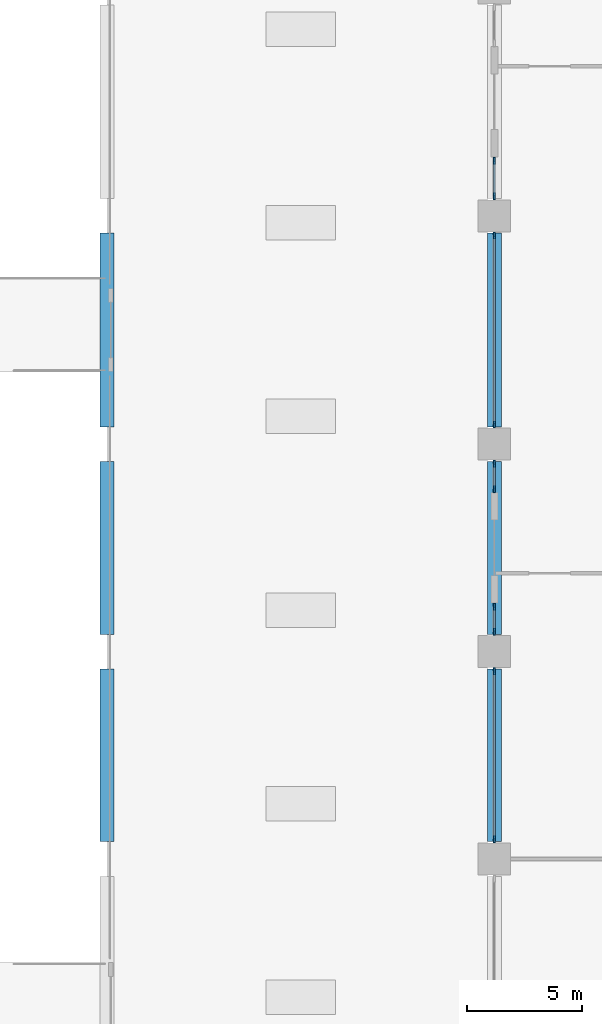
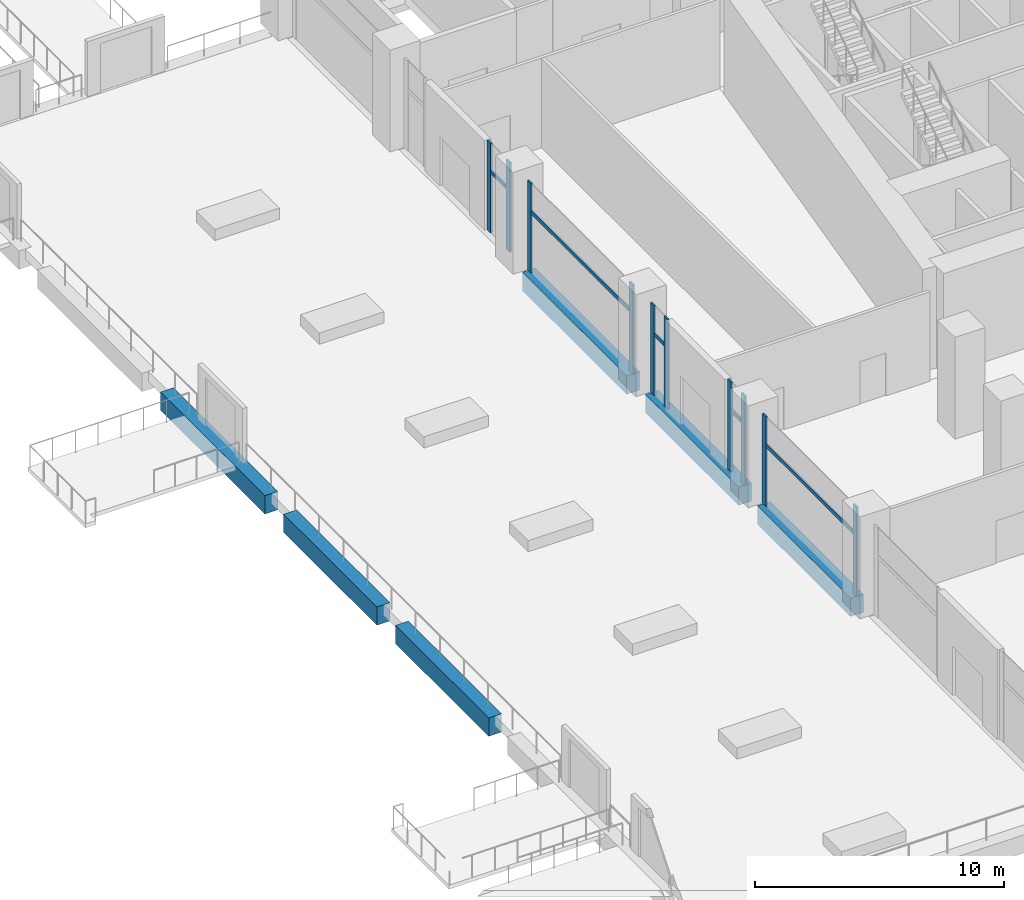
# One storey, part 4 of 33: 15 members, 6 beams, 5 elements without a shape of their own.
"""IFC4 building model written with IfcOpenShell, lengths in metres."""

from ifc_helpers import new_model, si_unit, direction, frame, origin, origin_2d, place, context, subcontext, project, spatial, rectangle, extrude, material, material_profile, profile_set, type_object, element, aggregate, save


model = new_model("IFC4")

# Units and contexts
model_context = context("Model", 3, precision=1e-05, world=origin(), true_north=direction((0.0, 1.0)))
body_context = subcontext(model_context, "Body", "Model", "MODEL_VIEW")
ifc_project = project(units=[si_unit("LENGTHUNIT", "METRE"), si_unit("AREAUNIT", "SQUARE_METRE"), si_unit("VOLUMEUNIT", "CUBIC_METRE"), si_unit("PLANEANGLEUNIT", "RADIAN"), si_unit("MASSUNIT", "GRAM", prefix="KILO")], contexts=[model_context])

# Site, building, storey
site_placement = place(None, origin())
site = spatial("IfcSite", under=ifc_project, at=site_placement, CompositionType="ELEMENT")
building_placement = place(site_placement, origin())
building = spatial("IfcBuilding", under=site, at=building_placement, Name="Candeia Pilgrim Tower and Theatre", CompositionType="ELEMENT")
storey_placement = place(building_placement, frame((0.0, 0.0, 29.0)))
storey = spatial("IfcBuildingStorey", under=building, at=storey_placement, Name="L04", CompositionType="ELEMENT", Elevation=29.0)

# Curtain wall, members
ifc_material_1 = material(Name="Aluminium framed podium glazing", Category="aluminium")
curtain_wall_type = type_object("IfcCurtainWallType", Name="CW-P curtain wall", PredefinedType="NOTDEFINED", material=ifc_material_1)
curtain_wall_1_placement = place(storey_placement, origin())
curtain_wall_1 = element("IfcCurtainWall", 1, at=curtain_wall_1_placement, inside=storey, type_object=curtain_wall_type, Name="Curtain wall CW-P L04.010", PredefinedType="NOTDEFINED")
ifc_material_2 = material(Name="Anodised aluminium", Category="aluminium")
ifc_material_profile_1 = material_profile(ifc_material_2, rectangle(XDim=0.080078125, YDim=0.300048828125, at=origin_2d()))
ifc_profile_set_1 = profile_set([ifc_material_profile_1], Name="Anodised aluminium")
member_type_1 = type_object("IfcMemberType", Name="CW-P mullion 80x300", PredefinedType="MULLION", material=ifc_profile_set_1)
member_1_placement = place(storey_placement, frame((75.60009765625, 98.85009765625, 0.0), z_axis=(0.0, 0.0, 1.0), x_axis=(-1.0, 0.0, 0.0)))
member_1 = element("IfcMember", 2, at=member_1_placement, type_object=member_type_1, Name="CW-P mullion 1", PredefinedType="MULLION", context=body_context, shape_type="SweptSolid", body=[
    extrude(rectangle(XDim=0.080078125, YDim=0.300048828125, at=origin_2d()), origin(), (0.0, 0.0, 1.0), 4.39990234375),
])
member_2_placement = place(storey_placement, frame((75.60009765625, 106.14990234375, 0.0), z_axis=(0.0, 0.0, 1.0), x_axis=(-1.0, 0.0, 0.0)))
member_2 = element("IfcMember", 3, at=member_2_placement, type_object=member_type_1, Name="CW-P mullion 2", PredefinedType="MULLION", context=body_context, shape_type="SweptSolid", body=[
    extrude(rectangle(XDim=0.080078125, YDim=0.300048828125, at=origin_2d()), origin(), (0.0, 0.0, 1.0), 4.39990234375),
])

curtain_wall_2_placement = place(storey_placement, origin())
curtain_wall_2 = element("IfcCurtainWall", 4, at=curtain_wall_2_placement, inside=storey, type_object=curtain_wall_type, Name="Curtain wall CW-P L04.020", PredefinedType="NOTDEFINED")
member_3_placement = place(storey_placement, frame((75.60009765625, 107.85009765625, 0.0), z_axis=(0.0, 0.0, 1.0), x_axis=(-1.0, 0.0, 0.0)))
member_3 = element("IfcMember", 5, at=member_3_placement, type_object=member_type_1, Name="CW-P mullion 1", PredefinedType="MULLION", context=body_context, shape_type="SweptSolid", body=[
    extrude(rectangle(XDim=0.080078125, YDim=0.300048828125, at=origin_2d()), origin(), (0.0, 0.0, 1.0), 4.39990234375),
])
member_4_placement = place(storey_placement, frame((75.60009765625, 108.949951171875, 0.0), z_axis=(0.0, 0.0, 1.0), x_axis=(-1.0, 0.0, 0.0)))
member_4 = element("IfcMember", 6, at=member_4_placement, type_object=member_type_1, Name="CW-P mullion 2", PredefinedType="MULLION", context=body_context, shape_type="SweptSolid", body=[
    extrude(rectangle(XDim=0.080078125, YDim=0.300048828125, at=origin_2d()), origin(), (0.0, 0.0, 1.0), 4.39990234375),
])

curtain_wall_3_placement = place(storey_placement, origin())
curtain_wall_3 = element("IfcCurtainWall", 7, at=curtain_wall_3_placement, inside=storey, type_object=curtain_wall_type, Name="Curtain wall CW-P L04.021", PredefinedType="NOTDEFINED")
member_5_placement = place(storey_placement, frame((75.60009765625, 114.050048828125, 0.0), z_axis=(0.0, 0.0, 1.0), x_axis=(-1.0, 0.0, 0.0)))
member_5 = element("IfcMember", 8, at=member_5_placement, type_object=member_type_1, Name="CW-P mullion 1", PredefinedType="MULLION", context=body_context, shape_type="SweptSolid", body=[
    extrude(rectangle(XDim=0.080078125, YDim=0.300048828125, at=origin_2d()), origin(), (0.0, 0.0, 1.0), 4.39990234375),
])
member_6_placement = place(storey_placement, frame((75.60009765625, 115.14990234375, 0.0), z_axis=(0.0, 0.0, 1.0), x_axis=(-1.0, 0.0, 0.0)))
member_6 = element("IfcMember", 9, at=member_6_placement, type_object=member_type_1, Name="CW-P mullion 2", PredefinedType="MULLION", context=body_context, shape_type="SweptSolid", body=[
    extrude(rectangle(XDim=0.080078125, YDim=0.300048828125, at=origin_2d()), origin(), (0.0, 0.0, 1.0), 4.39990234375),
])

curtain_wall_4_placement = place(storey_placement, origin())
curtain_wall_4 = element("IfcCurtainWall", 10, at=curtain_wall_4_placement, inside=storey, type_object=curtain_wall_type, Name="Curtain wall CW-P L04.030", PredefinedType="NOTDEFINED")
member_7_placement = place(storey_placement, frame((75.60009765625, 116.85009765625, 0.0), z_axis=(0.0, 0.0, 1.0), x_axis=(-1.0, 0.0, 0.0)))
member_7 = element("IfcMember", 11, at=member_7_placement, type_object=member_type_1, Name="CW-P mullion 1", PredefinedType="MULLION", context=body_context, shape_type="SweptSolid", body=[
    extrude(rectangle(XDim=0.080078125, YDim=0.300048828125, at=origin_2d()), origin(), (0.0, 0.0, 1.0), 4.39990234375),
])
member_8_placement = place(storey_placement, frame((75.60009765625, 125.050048828125, 0.0), z_axis=(0.0, 0.0, 1.0), x_axis=(-1.0, 0.0, 0.0)))
member_8 = element("IfcMember", 12, at=member_8_placement, type_object=member_type_1, Name="CW-P mullion 2", PredefinedType="MULLION", context=body_context, shape_type="SweptSolid", body=[
    extrude(rectangle(XDim=0.080078125, YDim=0.300048828125, at=origin_2d()), origin(), (0.0, 0.0, 1.0), 4.39990234375),
])

curtain_wall_5_placement = place(storey_placement, origin())
curtain_wall_5 = element("IfcCurtainWall", 13, at=curtain_wall_5_placement, inside=storey, type_object=curtain_wall_type, Name="Curtain wall CW-P L04.040", PredefinedType="NOTDEFINED")
member_9_placement = place(storey_placement, frame((75.60009765625, 126.75, 0.0), z_axis=(0.0, 0.0, 1.0), x_axis=(-1.0, 0.0, 0.0)))
member_9 = element("IfcMember", 14, at=member_9_placement, type_object=member_type_1, Name="CW-P mullion 1", PredefinedType="MULLION", context=body_context, shape_type="SweptSolid", body=[
    extrude(rectangle(XDim=0.080078125, YDim=0.300048828125, at=origin_2d()), origin(), (0.0, 0.0, 1.0), 4.39990234375),
])
member_10_placement = place(storey_placement, frame((75.60009765625, 128.300048828125, 0.0), z_axis=(0.0, 0.0, 1.0), x_axis=(-1.0, 0.0, 0.0)))
member_10 = element("IfcMember", 15, at=member_10_placement, type_object=member_type_1, Name="CW-P mullion 2", PredefinedType="MULLION", context=body_context, shape_type="SweptSolid", body=[
    extrude(rectangle(XDim=0.080078125, YDim=0.300048828125, at=origin_2d()), origin(), (0.0, 0.0, 1.0), 4.39990234375),
])

# Member
ifc_material_profile_2 = material_profile(ifc_material_2, rectangle(XDim=0.080078125, YDim=0.179931640625, at=origin_2d()))
ifc_profile_set_2 = profile_set([ifc_material_profile_2], Name="Anodised aluminium")
member_type_2 = type_object("IfcMemberType", Name="CW-P transom 80x180", PredefinedType="USERDEFINED", material=ifc_profile_set_2)
member_11_placement = place(storey_placement, frame((75.60009765625, 98.889892578125, 3.0), z_axis=(0.0, 1.0, 0.0), x_axis=(-1.0, 0.0, 0.0)))
member_11 = element("IfcMember", 16, at=member_11_placement, type_object=member_type_2, Name="CW-P transom 1.1", ObjectType="TRANSOM", PredefinedType="USERDEFINED", context=body_context, shape_type="SweptSolid", body=[
    extrude(rectangle(XDim=0.080078125, YDim=0.179931640625, at=origin_2d()), origin(), (0.0, 0.0, 1.0), 7.22021484375),
])

aggregate(curtain_wall_1, [member_1, member_2, member_11])

member_12_placement = place(storey_placement, frame((75.60009765625, 107.889892578125, 3.0), z_axis=(0.0, 1.0, 0.0), x_axis=(-1.0, 0.0, 0.0)))
member_12 = element("IfcMember", 17, at=member_12_placement, type_object=member_type_2, Name="CW-P transom 1.1", ObjectType="TRANSOM", PredefinedType="USERDEFINED", context=body_context, shape_type="SweptSolid", body=[
    extrude(rectangle(XDim=0.080078125, YDim=0.179931640625, at=origin_2d()), origin(), (0.0, 0.0, 1.0), 1.02001953125),
])

aggregate(curtain_wall_2, [member_3, member_4, member_12])

member_13_placement = place(storey_placement, frame((75.60009765625, 114.090087890625, 3.0), z_axis=(0.0, 1.0, 0.0), x_axis=(-1.0, 0.0, 0.0)))
member_13 = element("IfcMember", 18, at=member_13_placement, type_object=member_type_2, Name="CW-P transom 1.1", ObjectType="TRANSOM", PredefinedType="USERDEFINED", context=body_context, shape_type="SweptSolid", body=[
    extrude(rectangle(XDim=0.080078125, YDim=0.179931640625, at=origin_2d()), origin(), (0.0, 0.0, 1.0), 1.02001953125),
])

aggregate(curtain_wall_3, [member_5, member_6, member_13])

member_14_placement = place(storey_placement, frame((75.60009765625, 116.889892578125, 3.0), z_axis=(0.0, 1.0, 0.0), x_axis=(-1.0, 0.0, 0.0)))
member_14 = element("IfcMember", 19, at=member_14_placement, type_object=member_type_2, Name="CW-P transom 1.1", ObjectType="TRANSOM", PredefinedType="USERDEFINED", context=body_context, shape_type="SweptSolid", body=[
    extrude(rectangle(XDim=0.080078125, YDim=0.179931640625, at=origin_2d()), origin(), (0.0, 0.0, 1.0), 8.1201171875),
])

aggregate(curtain_wall_4, [member_7, member_8, member_14])

member_15_placement = place(storey_placement, frame((75.60009765625, 126.7900390625, 3.0), z_axis=(0.0, 1.0, 0.0), x_axis=(-1.0, 0.0, 0.0)))
member_15 = element("IfcMember", 20, at=member_15_placement, type_object=member_type_2, Name="CW-P transom 1.1", ObjectType="TRANSOM", PredefinedType="USERDEFINED", context=body_context, shape_type="SweptSolid", body=[
    extrude(rectangle(XDim=0.080078125, YDim=0.179931640625, at=origin_2d()), origin(), (0.0, 0.0, 1.0), 1.469970703125),
])

aggregate(curtain_wall_5, [member_9, member_10, member_15])

# Beams
ifc_material_3 = material(Name="Concrete C80/95", Category="concrete")
ifc_material_profile_3 = material_profile(ifc_material_3, rectangle(XDim=0.60009765625, YDim=0.89990234375, at=origin_2d()))
ifc_profile_set_3 = profile_set([ifc_material_profile_3], Name="Concrete C80/95")
beam_type = type_object("IfcBeamType", Name="RC 600x900 C80/95", PredefinedType="BEAM", material=ifc_profile_set_3)
beam_1_placement = place(storey_placement, frame((75.60009765625, 125.14990234375, -0.449951171875), z_axis=(0.0, -1.0, 0.0), x_axis=(1.0, 0.0, 0.0)))
element("IfcBeam", 21, at=beam_1_placement, inside=storey, type_object=beam_type, Name="Spandrel beam L04-16", PredefinedType="BEAM", context=body_context, shape_type="SweptSolid", body=[
    extrude(rectangle(XDim=0.60009765625, YDim=0.89990234375, at=origin_2d()), origin(), (0.0, 0.0, 1.0), 8.39990234375),
])
for number, where, z_axis, x_axis, name in (
    (22, (75.60009765625, 115.25, -0.449951171875), (0.0, -1.0, 0.0), (1.0, 0.0, 0.0), "Spandrel beam L04-17"),
    (23, (75.60009765625, 106.25, -0.449951171875), (0.0, -1.0, 0.0), (1.0, 0.0, 0.0), "Spandrel beam L04-18"),
    (24, (58.800048828125, 98.75, -0.449951171875), (0.0, 1.0, 0.0), (-1.0, 0.0, 0.0), "Spandrel beam L04-26"),
    (25, (58.800048828125, 107.75, -0.449951171875), (0.0, 1.0, 0.0), (-1.0, 0.0, 0.0), "Spandrel beam L04-27"),
):
    element("IfcBeam", number, at=place(storey_placement, frame(where, z_axis=z_axis, x_axis=x_axis)), inside=storey, type_object=beam_type, Name=name, PredefinedType="BEAM", context=body_context, shape_type="SweptSolid", body=[
        extrude(rectangle(XDim=0.60009765625, YDim=0.89990234375, at=origin_2d()), origin(), (0.0, 0.0, 1.0), 7.5),
    ])
beam_2_placement = place(storey_placement, frame((58.800048828125, 116.75, -0.449951171875), z_axis=(0.0, 1.0, 0.0), x_axis=(-1.0, 0.0, 0.0)))
element("IfcBeam", 26, at=beam_2_placement, inside=storey, type_object=beam_type, Name="Spandrel beam L04-28", PredefinedType="BEAM", context=body_context, shape_type="SweptSolid", body=[
    extrude(rectangle(XDim=0.60009765625, YDim=0.89990234375, at=origin_2d()), origin(), (0.0, 0.0, 1.0), 8.39990234375),
])

save(model, "model.ifc")
